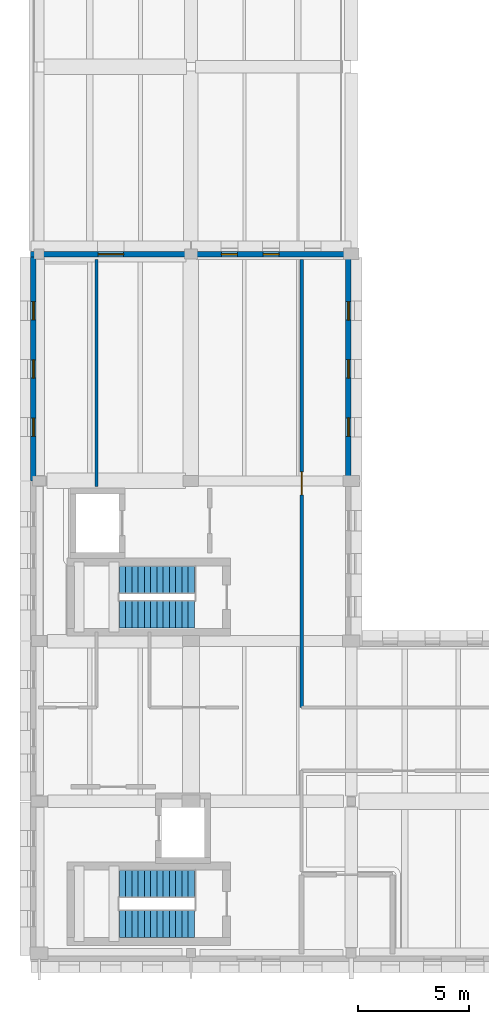
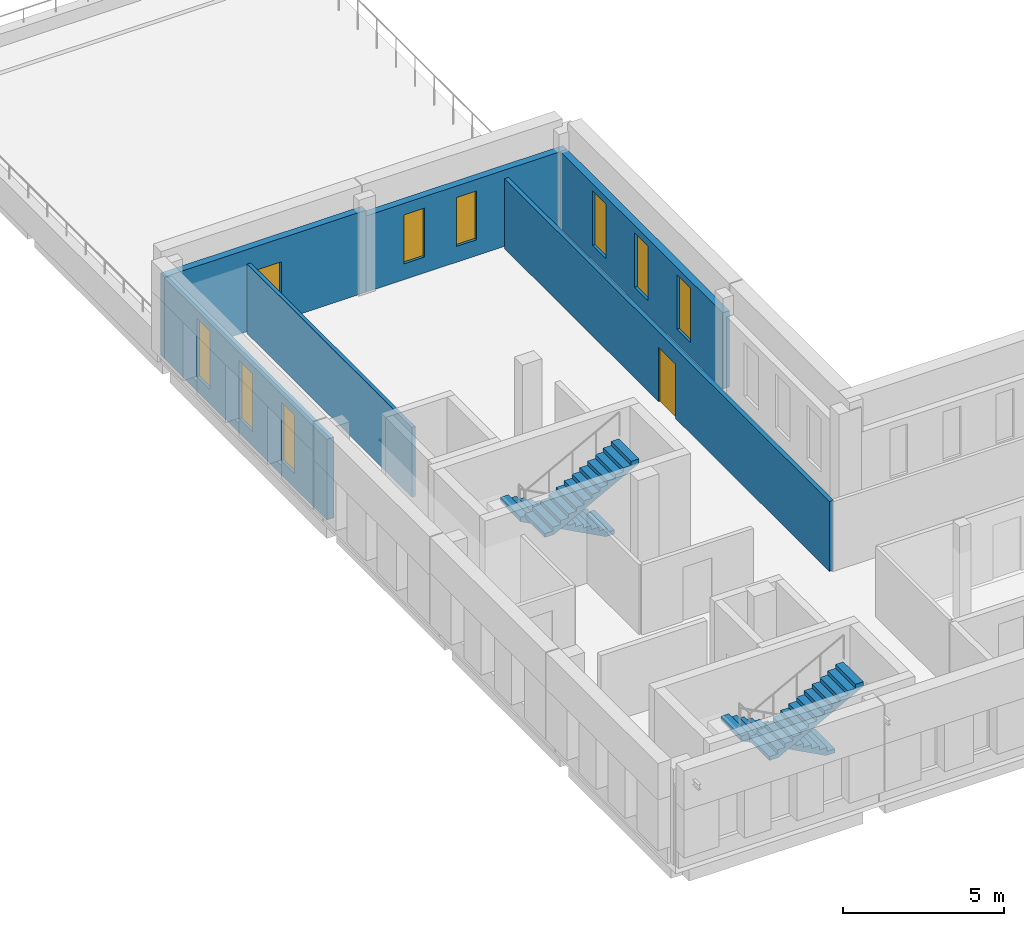
# One storey, part 5 of 8: 8 windows, 6 walls, 4 stair flights, 2 doors, 10 openings, 2 elements without a shape of their own.
"""IFC4 building model written with IfcOpenShell, lengths in metres."""

from ifc_helpers import new_model, si_unit, direction, frame, frame_2d, origin, place, context, subcontext, project, spatial, polyline, rectangle, outline, extrude, material, layer, layer_set, type_object, element, fill, aggregate, save


model = new_model("IFC4")

# Units and contexts
model_context = context("Model", 3, precision=1e-05, world=origin(), true_north=direction((0.0, 1.0)))
body_context = subcontext(model_context, "Body", "Model", "MODEL_VIEW")
ifc_project = project(units=[si_unit("LENGTHUNIT", "METRE"), si_unit("AREAUNIT", "SQUARE_METRE"), si_unit("VOLUMEUNIT", "CUBIC_METRE"), si_unit("PLANEANGLEUNIT", "RADIAN"), si_unit("MASSUNIT", "GRAM", prefix="KILO")], contexts=[model_context])

# Site, building, storey
site_placement = place(None, origin())
site = spatial("IfcSite", under=ifc_project, at=site_placement, CompositionType="ELEMENT")
building_placement = place(site_placement, origin())
building = spatial("IfcBuilding", under=site, at=building_placement, Name="Vardoun Plaza Health Centre", CompositionType="ELEMENT")
storey_placement = place(building_placement, frame((0.0, 0.0, 21.14990234375)))
storey = spatial("IfcBuildingStorey", under=building, at=storey_placement, Name="L05", CompositionType="ELEMENT", Elevation=21.14990234375)

# Wall, opening, door
ifc_material_1 = material(Name="Pale Limestone Concrete C35/45", Category="masonry")
ifc_layer_1 = layer(ifc_material_1, 0.25)
ifc_layer_set_1 = layer_set([ifc_layer_1], Name="Pale Limestone Concrete C35/45")
wall_type_1 = type_object("IfcWallType", Name="EW-07", PredefinedType="STANDARD", material=ifc_layer_set_1)
wall_1_placement = place(storey_placement, frame((4.5, 36.27490234375, 0.0), z_axis=(0.0, 0.0, 1.0), x_axis=(1.0, 0.0, 0.0)))
wall_1 = element("IfcWall", 1, at=wall_1_placement, inside=storey, type_object=wall_type_1, Name="V2 L05 Exterior Wall EW-V2-198", PredefinedType="STANDARD", context=body_context, shape_type="SweptSolid", body=[
    extrude(rectangle(XDim=7.199951171875, YDim=0.25, at=frame_2d((3.60009765625, 0.0))), origin(), (0.0, 0.0, 1.0), 3.10498046875),
])
opening_1_placement = place(wall_1_placement, frame((3.02490234375, 0.0, 0.18994140625)))
opening_1 = element("IfcOpeningElement", 2, at=opening_1_placement, cuts=wall_1, Name="Opening TD-V2-L05-1", PredefinedType="OPENING", context=body_context, shape_type="SweptSolid", body=[
    extrude(rectangle(XDim=1.14990234375, YDim=2.02001953125, at=frame_2d((0.574951171875, 1.010009765625))), frame((0.0, 0.125, 0.0), z_axis=(0.0, -1.0, 0.0), x_axis=(1.0, 0.0, 0.0)), (0.0, 0.0, 1.0), 0.25),
])
ifc_material_2 = material(Name="Aluminium Alloy EN AW-6063-T6 Terrace Door", Category="aluminium")
door_type_1 = type_object("IfcDoorType", Name="ED-04", OperationType="NOTDEFINED", PredefinedType="DOOR", material=ifc_material_2)
door_1_placement = place(opening_1_placement, origin())
door_1 = element("IfcDoor", 3, at=door_1_placement, inside=storey, type_object=door_type_1, Name="V2 L05 Roof-Garden Terrace Door 1", OperationType="SINGLE_SWING_RIGHT", OverallHeight=2.02001953125, OverallWidth=1.14990234375, PredefinedType="DOOR", context=body_context, shape_type="SweptSolid", body=[
    extrude(rectangle(XDim=1.14990234375, YDim=2.02001953125, at=frame_2d((0.574951171875, 1.010009765625))), frame((0.0, 0.02490234375, 0.0), z_axis=(0.0, -1.0, 0.0), x_axis=(1.0, 0.0, 0.0)), (0.0, 0.0, 1.0), 0.050048828125),
])
fill(opening_1, door_1)

# Wall, openings, windows
wall_2_placement = place(storey_placement, frame((11.699951171875, 36.27490234375, 0.0), z_axis=(0.0, 0.0, 1.0), x_axis=(1.0, 0.0, 0.0)))
wall_2 = element("IfcWall", 4, at=wall_2_placement, inside=storey, type_object=wall_type_1, Name="V2 L05 Exterior Wall EW-V2-199", PredefinedType="STANDARD", context=body_context, shape_type="SweptSolid", body=[
    extrude(rectangle(XDim=7.199951171875, YDim=0.25, at=frame_2d((3.60009765625, 0.0))), origin(), (0.0, 0.0, 1.0), 2.885009765625),
])
opening_2_placement = place(wall_2_placement, frame((1.367919921875, 0.0, 0.60009765625)))
opening_2 = element("IfcOpeningElement", 5, at=opening_2_placement, cuts=wall_2, Name="Opening W-26-010", PredefinedType="OPENING", context=body_context, shape_type="SweptSolid", body=[
    extrude(rectangle(XDim=0.719970703125, YDim=1.85009765625, at=frame_2d((0.35986328125, 0.925048828125))), frame((0.0, 0.125, 0.0), z_axis=(0.0, -1.0, 0.0), x_axis=(1.0, 0.0, 0.0)), (0.0, 0.0, 1.0), 0.25),
])
opening_3_placement = place(wall_2_placement, frame((3.239990234375, 0.0, 0.60009765625)))
opening_3 = element("IfcOpeningElement", 6, at=opening_3_placement, cuts=wall_2, Name="Opening W-26-011", PredefinedType="OPENING", context=body_context, shape_type="SweptSolid", body=[
    extrude(rectangle(XDim=0.719970703125, YDim=1.85009765625, at=frame_2d((0.35986328125, 0.925048828125))), frame((0.0, 0.125, 0.0), z_axis=(0.0, -1.0, 0.0), x_axis=(1.0, 0.0, 0.0)), (0.0, 0.0, 1.0), 0.25),
])
ifc_material_3 = material(Name="Aluminium Alloy EN AW-6063-T6 and Low-E Glass", Category="aluminium")
window_type_1 = type_object("IfcWindowType", Name="W-26", PartitioningType="SINGLE_PANEL", PredefinedType="WINDOW", material=ifc_material_3)
window_1_placement = place(opening_2_placement, origin())
window_1 = element("IfcWindow", 7, at=window_1_placement, inside=storey, type_object=window_type_1, Name="V2 L05 Deep-Punched Slot Window W-26-294", OverallHeight=1.85009765625, OverallWidth=0.719970703125, PartitioningType="SINGLE_PANEL", PredefinedType="WINDOW", context=body_context, shape_type="SweptSolid", body=[
    extrude(rectangle(XDim=0.719970703125, YDim=1.85009765625, at=frame_2d((0.35986328125, 0.925048828125))), frame((0.0, 0.030029296875, 0.0), z_axis=(0.0, -1.0, 0.0), x_axis=(1.0, 0.0, 0.0)), (0.0, 0.0, 1.0), 0.06005859375),
])
fill(opening_2, window_1)
window_2_placement = place(opening_3_placement, origin())
window_2 = element("IfcWindow", 8, at=window_2_placement, inside=storey, type_object=window_type_1, Name="V2 L05 Deep-Punched Slot Window W-26-295", OverallHeight=1.85009765625, OverallWidth=0.719970703125, PartitioningType="SINGLE_PANEL", PredefinedType="WINDOW", context=body_context, shape_type="SweptSolid", body=[
    extrude(rectangle(XDim=0.719970703125, YDim=1.85009765625, at=frame_2d((0.35986328125, 0.925048828125))), frame((0.0, 0.030029296875, 0.0), z_axis=(0.0, -1.0, 0.0), x_axis=(1.0, 0.0, 0.0)), (0.0, 0.0, 1.0), 0.06005859375),
])
fill(opening_3, window_2)

wall_3_placement = place(storey_placement, frame((18.77490234375, 36.14990234375, 0.0), z_axis=(0.0, 0.0, 1.0), x_axis=(0.0, -1.0, 0.0)))
wall_3 = element("IfcWall", 9, at=wall_3_placement, inside=storey, type_object=wall_type_1, Name="V2 L05 Exterior Wall EW-V2-200", PredefinedType="STANDARD", context=body_context, shape_type="SweptSolid", body=[
    extrude(rectangle(XDim=10.0498046875, YDim=0.25, at=frame_2d((5.02490234375, 0.0))), origin(), (0.0, 0.0, 1.0), 2.885009765625),
])
opening_4_placement = place(wall_3_placement, frame((1.9970703125, 0.0, 0.550048828125)))
opening_4 = element("IfcOpeningElement", 10, at=opening_4_placement, cuts=wall_3, Name="Opening W-34-001", PredefinedType="OPENING", context=body_context, shape_type="SweptSolid", body=[
    extrude(rectangle(XDim=0.830078125, YDim=2.06005859375, at=frame_2d((0.4150390625, 1.030029296875))), frame((0.0, 0.125, 0.0), z_axis=(0.0, -1.0, 0.0), x_axis=(1.0, 0.0, 0.0)), (0.0, 0.0, 1.0), 0.25),
])
opening_5_placement = place(wall_3_placement, frame((4.610107421875, 0.0, 0.550048828125)))
opening_5 = element("IfcOpeningElement", 11, at=opening_5_placement, cuts=wall_3, Name="Opening W-34-002", PredefinedType="OPENING", context=body_context, shape_type="SweptSolid", body=[
    extrude(rectangle(XDim=0.830078125, YDim=2.06005859375, at=frame_2d((0.4150390625, 1.030029296875))), frame((0.0, 0.125, 0.0), z_axis=(0.0, -1.0, 0.0), x_axis=(1.0, 0.0, 0.0)), (0.0, 0.0, 1.0), 0.25),
])
opening_6_placement = place(wall_3_placement, frame((7.222900390625, 0.0, 0.550048828125)))
opening_6 = element("IfcOpeningElement", 12, at=opening_6_placement, cuts=wall_3, Name="Opening W-34-003", PredefinedType="OPENING", context=body_context, shape_type="SweptSolid", body=[
    extrude(rectangle(XDim=0.830078125, YDim=2.06005859375, at=frame_2d((0.4150390625, 1.030029296875))), frame((0.0, 0.125, 0.0), z_axis=(0.0, -1.0, 0.0), x_axis=(1.0, 0.0, 0.0)), (0.0, 0.0, 1.0), 0.25),
])
ifc_material_4 = material(Name="Aluminium Alloy EN AW-6063-T6 and Low-E Glass", Category="aluminium")
window_type_2 = type_object("IfcWindowType", Name="W-34", PartitioningType="SINGLE_PANEL", PredefinedType="WINDOW", material=ifc_material_4)
window_3_placement = place(opening_4_placement, origin())
window_3 = element("IfcWindow", 13, at=window_3_placement, inside=storey, type_object=window_type_2, Name="V2 L05 Deep-Punched Slot Window W-34-297", OverallHeight=2.06005859375, OverallWidth=0.830078125, PartitioningType="SINGLE_PANEL", PredefinedType="WINDOW", context=body_context, shape_type="SweptSolid", body=[
    extrude(rectangle(XDim=0.830078125, YDim=2.06005859375, at=frame_2d((0.4150390625, 1.030029296875))), frame((0.0, 0.030029296875, 0.0), z_axis=(0.0, -1.0, 0.0), x_axis=(1.0, 0.0, 0.0)), (0.0, 0.0, 1.0), 0.06005859375),
])
fill(opening_4, window_3)
window_4_placement = place(opening_5_placement, origin())
window_4 = element("IfcWindow", 14, at=window_4_placement, inside=storey, type_object=window_type_2, Name="V2 L05 Deep-Punched Slot Window W-34-298", OverallHeight=2.06005859375, OverallWidth=0.830078125, PartitioningType="SINGLE_PANEL", PredefinedType="WINDOW", context=body_context, shape_type="SweptSolid", body=[
    extrude(rectangle(XDim=0.830078125, YDim=2.06005859375, at=frame_2d((0.4150390625, 1.030029296875))), frame((0.0, 0.030029296875, 0.0), z_axis=(0.0, -1.0, 0.0), x_axis=(1.0, 0.0, 0.0)), (0.0, 0.0, 1.0), 0.06005859375),
])
fill(opening_5, window_4)
window_5_placement = place(opening_6_placement, origin())
window_5 = element("IfcWindow", 15, at=window_5_placement, inside=storey, type_object=window_type_2, Name="V2 L05 Deep-Punched Slot Window W-34-299", OverallHeight=2.06005859375, OverallWidth=0.830078125, PartitioningType="SINGLE_PANEL", PredefinedType="WINDOW", context=body_context, shape_type="SweptSolid", body=[
    extrude(rectangle(XDim=0.830078125, YDim=2.06005859375, at=frame_2d((0.4150390625, 1.030029296875))), frame((0.0, 0.030029296875, 0.0), z_axis=(0.0, -1.0, 0.0), x_axis=(1.0, 0.0, 0.0)), (0.0, 0.0, 1.0), 0.06005859375),
])
fill(opening_6, window_5)

wall_4_placement = place(storey_placement, frame((4.625, 26.10009765625, 0.0), z_axis=(0.0, 0.0, 1.0), x_axis=(0.0, 1.0, 0.0)))
wall_4 = element("IfcWall", 16, at=wall_4_placement, inside=storey, type_object=wall_type_1, Name="V2 L05 Exterior Wall EW-V2-211", PredefinedType="STANDARD", context=body_context, shape_type="SweptSolid", body=[
    extrude(rectangle(XDim=10.0498046875, YDim=0.25, at=frame_2d((5.02490234375, 0.0))), origin(), (0.0, 0.0, 1.0), 3.05517578125),
])
opening_7_placement = place(wall_4_placement, frame((2.001953125, 0.0, 0.550048828125)))
opening_7 = element("IfcOpeningElement", 17, at=opening_7_placement, cuts=wall_4, Name="Opening W-07-007", PredefinedType="OPENING", context=body_context, shape_type="SweptSolid", body=[
    extrude(rectangle(XDim=0.820068359375, YDim=2.199951171875, at=frame_2d((0.41015625, 1.10009765625))), frame((0.0, 0.125, 0.0), z_axis=(0.0, -1.0, 0.0), x_axis=(1.0, 0.0, 0.0)), (0.0, 0.0, 1.0), 0.25),
])
opening_8_placement = place(wall_4_placement, frame((4.614990234375, 0.0, 0.550048828125)))
opening_8 = element("IfcOpeningElement", 18, at=opening_8_placement, cuts=wall_4, Name="Opening W-07-008", PredefinedType="OPENING", context=body_context, shape_type="SweptSolid", body=[
    extrude(rectangle(XDim=0.820068359375, YDim=2.199951171875, at=frame_2d((0.41015625, 1.10009765625))), frame((0.0, 0.125, 0.0), z_axis=(0.0, -1.0, 0.0), x_axis=(1.0, 0.0, 0.0)), (0.0, 0.0, 1.0), 0.25),
])
opening_9_placement = place(wall_4_placement, frame((7.22802734375, 0.0, 0.550048828125)))
opening_9 = element("IfcOpeningElement", 19, at=opening_9_placement, cuts=wall_4, Name="Opening W-07-009", PredefinedType="OPENING", context=body_context, shape_type="SweptSolid", body=[
    extrude(rectangle(XDim=0.820068359375, YDim=2.199951171875, at=frame_2d((0.41015625, 1.10009765625))), frame((0.0, 0.125, 0.0), z_axis=(0.0, -1.0, 0.0), x_axis=(1.0, 0.0, 0.0)), (0.0, 0.0, 1.0), 0.25),
])
ifc_material_5 = material(Name="Aluminium Alloy EN AW-6063-T6 and Low-E Glass", Category="aluminium")
window_type_3 = type_object("IfcWindowType", Name="W-07", PartitioningType="SINGLE_PANEL", PredefinedType="WINDOW", material=ifc_material_5)
window_6_placement = place(opening_7_placement, origin())
window_6 = element("IfcWindow", 20, at=window_6_placement, inside=storey, type_object=window_type_3, Name="V2 L05 Deep-Punched Slot Window W-07-327", OverallHeight=2.199951171875, OverallWidth=0.820068359375, PartitioningType="SINGLE_PANEL", PredefinedType="WINDOW", context=body_context, shape_type="SweptSolid", body=[
    extrude(rectangle(XDim=0.820068359375, YDim=2.199951171875, at=frame_2d((0.41015625, 1.10009765625))), frame((0.0, 0.030029296875, 0.0), z_axis=(0.0, -1.0, 0.0), x_axis=(1.0, 0.0, 0.0)), (0.0, 0.0, 1.0), 0.06005859375),
])
fill(opening_7, window_6)
window_7_placement = place(opening_8_placement, origin())
window_7 = element("IfcWindow", 21, at=window_7_placement, inside=storey, type_object=window_type_3, Name="V2 L05 Deep-Punched Slot Window W-07-328", OverallHeight=2.199951171875, OverallWidth=0.820068359375, PartitioningType="SINGLE_PANEL", PredefinedType="WINDOW", context=body_context, shape_type="SweptSolid", body=[
    extrude(rectangle(XDim=0.820068359375, YDim=2.199951171875, at=frame_2d((0.41015625, 1.10009765625))), frame((0.0, 0.030029296875, 0.0), z_axis=(0.0, -1.0, 0.0), x_axis=(1.0, 0.0, 0.0)), (0.0, 0.0, 1.0), 0.06005859375),
])
fill(opening_8, window_7)
window_8_placement = place(opening_9_placement, origin())
window_8 = element("IfcWindow", 22, at=window_8_placement, inside=storey, type_object=window_type_3, Name="V2 L05 Deep-Punched Slot Window W-07-329", OverallHeight=2.199951171875, OverallWidth=0.820068359375, PartitioningType="SINGLE_PANEL", PredefinedType="WINDOW", context=body_context, shape_type="SweptSolid", body=[
    extrude(rectangle(XDim=0.820068359375, YDim=2.199951171875, at=frame_2d((0.41015625, 1.10009765625))), frame((0.0, 0.030029296875, 0.0), z_axis=(0.0, -1.0, 0.0), x_axis=(1.0, 0.0, 0.0)), (0.0, 0.0, 1.0), 0.06005859375),
])
fill(opening_9, window_8)

# Wall, opening, door
ifc_material_6 = material(Name="Acoustic Gypsum Twin-Stud", Category="steel")
ifc_layer_2 = layer(ifc_material_6, 0.14990234375)
ifc_layer_set_2 = layer_set([ifc_layer_2], Name="Acoustic Gypsum Twin-Stud")
wall_type_2 = type_object("IfcWallType", Name="IW-04", PredefinedType="PARTITIONING", material=ifc_layer_set_2)
wall_5_placement = place(storey_placement, frame((16.669921875, 15.919921875, 0.0), z_axis=(0.0, 0.0, 1.0), x_axis=(0.0, 1.0, 0.0)))
wall_5 = element("IfcWall", 23, at=wall_5_placement, inside=storey, type_object=wall_type_2, Name="Clinical Nutrition Counselling Room Partition Wall", PredefinedType="PARTITIONING", context=body_context, shape_type="SweptSolid", body=[
    extrude(rectangle(XDim=20.130126953125, YDim=0.14990234375, at=frame_2d((10.06494140625, 0.0))), origin(), (0.0, 0.0, 1.0), 2.64013671875),
])
opening_10_placement = place(wall_5_placement, frame((9.544921875, 0.0, 0.0)))
opening_10 = element("IfcOpeningElement", 24, at=opening_10_placement, cuts=wall_5, Name="Opening D-L05-065", PredefinedType="OPENING", context=body_context, shape_type="SweptSolid", body=[
    extrude(rectangle(XDim=1.0400390625, YDim=2.050048828125, at=frame_2d((0.52001953125, 1.02490234375))), frame((0.0, 0.074951171875, 0.0), z_axis=(0.0, -1.0, 0.0), x_axis=(1.0, 0.0, 0.0)), (0.0, 0.0, 1.0), 0.14990234375),
])
ifc_material_7 = material(Name="Antimicrobial Acoustic Timber and Steel S275JR", Category="steel")
door_type_2 = type_object("IfcDoorType", Name="CD-04", OperationType="NOTDEFINED", PredefinedType="DOOR", material=ifc_material_7)
door_2_placement = place(opening_10_placement, origin())
door_2 = element("IfcDoor", 25, at=door_2_placement, inside=storey, type_object=door_type_2, Name="Clinical Nutrition Counselling Room Door D-L05-065", OperationType="SINGLE_SWING_LEFT", OverallHeight=2.050048828125, OverallWidth=1.0400390625, PredefinedType="DOOR", context=body_context, shape_type="SweptSolid", body=[
    extrude(rectangle(XDim=1.0400390625, YDim=2.050048828125, at=frame_2d((0.52001953125, 1.02490234375))), frame((0.0, 0.02490234375, 0.0), z_axis=(0.0, -1.0, 0.0), x_axis=(1.0, 0.0, 0.0)), (0.0, 0.0, 1.0), 0.050048828125),
])
fill(opening_10, door_2)

# Wall
ifc_material_8 = material(Name="Standard Clinical Sub-Partition", Category="steel")
ifc_layer_3 = layer(ifc_material_8, 0.125)
ifc_layer_set_3 = layer_set([ifc_layer_3], Name="Standard Clinical Sub-Partition")
wall_type_3 = type_object("IfcWallType", Name="IW-11", PredefinedType="PARTITIONING", material=ifc_layer_set_3)
wall_6_placement = place(storey_placement, frame((7.4599609375, 36.050048828125, 0.0), z_axis=(0.0, 0.0, 1.0), x_axis=(0.0, -1.0, 0.0)))
element("IfcWall", 26, at=wall_6_placement, inside=storey, type_object=wall_type_3, Name="Vaccination Immunisation Room Enclosure Partition", PredefinedType="PARTITIONING", context=body_context, shape_type="SweptSolid", body=[
    extrude(rectangle(XDim=10.199951171875, YDim=0.125, at=frame_2d((5.10009765625, 0.0))), origin(), (0.0, 0.0, 1.0), 2.64013671875),
])

# Stair, stair flights
ifc_material_9 = material(Name="Concrete C35/45", Category="concrete")
stair_type = type_object("IfcStairType", Name="ST-01", PredefinedType="HALF_TURN_STAIR", material=ifc_material_9)
stair_1_placement = place(storey_placement, origin())
stair_1 = element("IfcStair", 27, at=stair_1_placement, inside=storey, type_object=stair_type, Name="Core C1 L05 Exit Stair ST-C1-L05", PredefinedType="HALF_TURN_STAIR")
ifc_material_10 = material(Name="Concrete C35/45", Category="concrete")
stair_flight_type = type_object("IfcStairFlightType", Name="SF-01", PredefinedType="STRAIGHT", material=ifc_material_10)
stair_flight_1_placement = place(storey_placement, frame((11.85009765625, 7.97998046875, 0.0), z_axis=(0.0, 0.0, 1.0), x_axis=(-1.0, 0.0, 0.0)))
stair_flight_1 = element("IfcStairFlight", 28, at=stair_flight_1_placement, type_object=stair_flight_type, Name="ST-C1-L05 flight 1", NumberOfRisers=13, NumberOfTreads=12, PredefinedType="STRAIGHT", RiserHeight=0.15, TreadLength=0.28, context=body_context, shape_type="SweptSolid", body=[
    extrude(outline(polyline([(0.0, 0.0), (0.0, 0.14990234375), (0.280029296875, 0.14990234375), (0.280029296875, 0.300048828125), (0.56005859375, 0.300048828125), (0.56005859375, 0.449951171875), (0.840087890625, 0.449951171875), (0.840087890625, 0.60009765625), (1.1201171875, 0.60009765625), (1.1201171875, 0.75), (1.39990234375, 0.75), (1.39990234375, 0.89990234375), (1.679931640625, 0.89990234375), (1.679931640625, 1.050048828125), (1.9599609375, 1.050048828125), (1.9599609375, 1.199951171875), (2.239990234375, 1.199951171875), (2.239990234375, 1.35009765625), (2.52001953125, 1.35009765625), (2.52001953125, 1.5), (2.800048828125, 1.5), (2.800048828125, 1.64990234375), (3.080078125, 1.64990234375), (3.080078125, 1.800048828125), (3.360107421875, 1.800048828125), (3.360107421875, 1.949951171875), (3.360107421875, 1.6298828125), (0.3173828125, 0.0), (0.0, 0.0)])), frame((0.0, 0.625, 0.0), z_axis=(0.0, -1.0, 0.0), x_axis=(1.0, 0.0, 0.0)), (0.0, 0.0, 1.0), 1.25),
])
stair_flight_2_placement = place(storey_placement, frame((8.489990234375, 6.219970703125, 1.9501953125), z_axis=(0.0, 0.0, 1.0), x_axis=(1.0, 0.0, 0.0)))
stair_flight_2 = element("IfcStairFlight", 29, at=stair_flight_2_placement, type_object=stair_flight_type, Name="ST-C1-L05 flight 2", NumberOfRisers=13, NumberOfTreads=12, PredefinedType="STRAIGHT", RiserHeight=0.15, TreadLength=0.28, context=body_context, shape_type="SweptSolid", body=[
    extrude(outline(polyline([(0.0, 0.0), (0.0, 0.14990234375), (0.280029296875, 0.14990234375), (0.280029296875, 0.300048828125), (0.56005859375, 0.300048828125), (0.56005859375, 0.449951171875), (0.840087890625, 0.449951171875), (0.840087890625, 0.60009765625), (1.1201171875, 0.60009765625), (1.1201171875, 0.75), (1.39990234375, 0.75), (1.39990234375, 0.89990234375), (1.679931640625, 0.89990234375), (1.679931640625, 1.050048828125), (1.9599609375, 1.050048828125), (1.9599609375, 1.199951171875), (2.239990234375, 1.199951171875), (2.239990234375, 1.35009765625), (2.52001953125, 1.35009765625), (2.52001953125, 1.5), (2.800048828125, 1.5), (2.800048828125, 1.64990234375), (3.080078125, 1.64990234375), (3.080078125, 1.800048828125), (3.360107421875, 1.800048828125), (3.360107421875, 1.949951171875), (3.360107421875, 1.6298828125), (0.3173828125, 0.0), (0.0, 0.0)])), frame((0.0, 0.625, 0.0), z_axis=(0.0, -1.0, 0.0), x_axis=(1.0, 0.0, 0.0)), (0.0, 0.0, 1.0), 1.25),
])
aggregate(stair_1, [stair_flight_1, stair_flight_2])

stair_2_placement = place(storey_placement, origin())
stair_2 = element("IfcStair", 30, at=stair_2_placement, inside=storey, type_object=stair_type, Name="Core C2 L05 Exit Stair ST-C2-L05", PredefinedType="HALF_TURN_STAIR")
stair_flight_3_placement = place(storey_placement, frame((11.85009765625, 21.6298828125, 0.0), z_axis=(0.0, 0.0, 1.0), x_axis=(-1.0, 0.0, 0.0)))
stair_flight_3 = element("IfcStairFlight", 31, at=stair_flight_3_placement, type_object=stair_flight_type, Name="ST-C2-L05 flight 1", NumberOfRisers=13, NumberOfTreads=12, PredefinedType="STRAIGHT", RiserHeight=0.15, TreadLength=0.28, context=body_context, shape_type="SweptSolid", body=[
    extrude(outline(polyline([(0.0, 0.0), (0.0, 0.14990234375), (0.280029296875, 0.14990234375), (0.280029296875, 0.300048828125), (0.56005859375, 0.300048828125), (0.56005859375, 0.449951171875), (0.840087890625, 0.449951171875), (0.840087890625, 0.60009765625), (1.1201171875, 0.60009765625), (1.1201171875, 0.75), (1.39990234375, 0.75), (1.39990234375, 0.89990234375), (1.679931640625, 0.89990234375), (1.679931640625, 1.050048828125), (1.9599609375, 1.050048828125), (1.9599609375, 1.199951171875), (2.239990234375, 1.199951171875), (2.239990234375, 1.35009765625), (2.52001953125, 1.35009765625), (2.52001953125, 1.5), (2.800048828125, 1.5), (2.800048828125, 1.64990234375), (3.080078125, 1.64990234375), (3.080078125, 1.800048828125), (3.360107421875, 1.800048828125), (3.360107421875, 1.949951171875), (3.360107421875, 1.6298828125), (0.3173828125, 0.0), (0.0, 0.0)])), frame((0.0, 0.625, 0.0), z_axis=(0.0, -1.0, 0.0), x_axis=(1.0, 0.0, 0.0)), (0.0, 0.0, 1.0), 1.25),
])
stair_flight_4_placement = place(storey_placement, frame((8.489990234375, 20.1201171875, 1.9501953125), z_axis=(0.0, 0.0, 1.0), x_axis=(1.0, 0.0, 0.0)))
stair_flight_4 = element("IfcStairFlight", 32, at=stair_flight_4_placement, type_object=stair_flight_type, Name="ST-C2-L05 flight 2", NumberOfRisers=13, NumberOfTreads=12, PredefinedType="STRAIGHT", RiserHeight=0.15, TreadLength=0.28, context=body_context, shape_type="SweptSolid", body=[
    extrude(outline(polyline([(0.0, 0.0), (0.0, 0.14990234375), (0.280029296875, 0.14990234375), (0.280029296875, 0.300048828125), (0.56005859375, 0.300048828125), (0.56005859375, 0.449951171875), (0.840087890625, 0.449951171875), (0.840087890625, 0.60009765625), (1.1201171875, 0.60009765625), (1.1201171875, 0.75), (1.39990234375, 0.75), (1.39990234375, 0.89990234375), (1.679931640625, 0.89990234375), (1.679931640625, 1.050048828125), (1.9599609375, 1.050048828125), (1.9599609375, 1.199951171875), (2.239990234375, 1.199951171875), (2.239990234375, 1.35009765625), (2.52001953125, 1.35009765625), (2.52001953125, 1.5), (2.800048828125, 1.5), (2.800048828125, 1.64990234375), (3.080078125, 1.64990234375), (3.080078125, 1.800048828125), (3.360107421875, 1.800048828125), (3.360107421875, 1.949951171875), (3.360107421875, 1.6298828125), (0.3173828125, 0.0), (0.0, 0.0)])), frame((0.0, 0.625, 0.0), z_axis=(0.0, -1.0, 0.0), x_axis=(1.0, 0.0, 0.0)), (0.0, 0.0, 1.0), 1.25),
])
aggregate(stair_2, [stair_flight_3, stair_flight_4])

save(model, "model.ifc")
